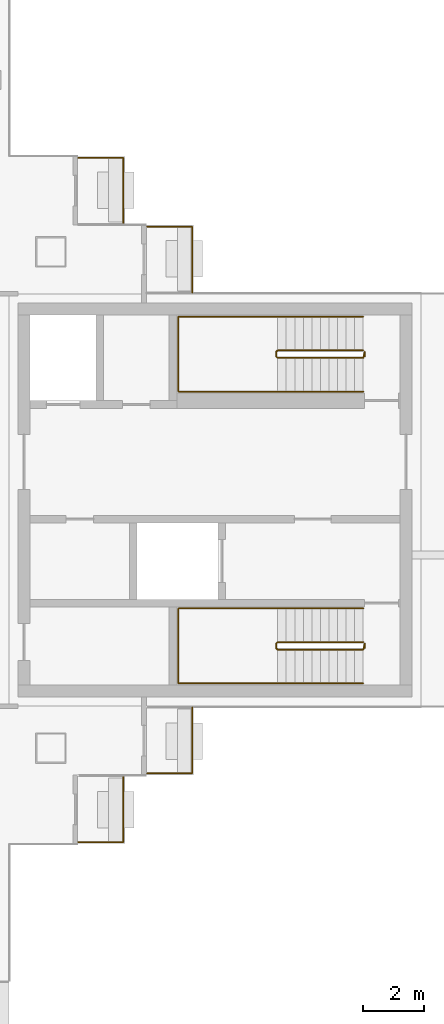
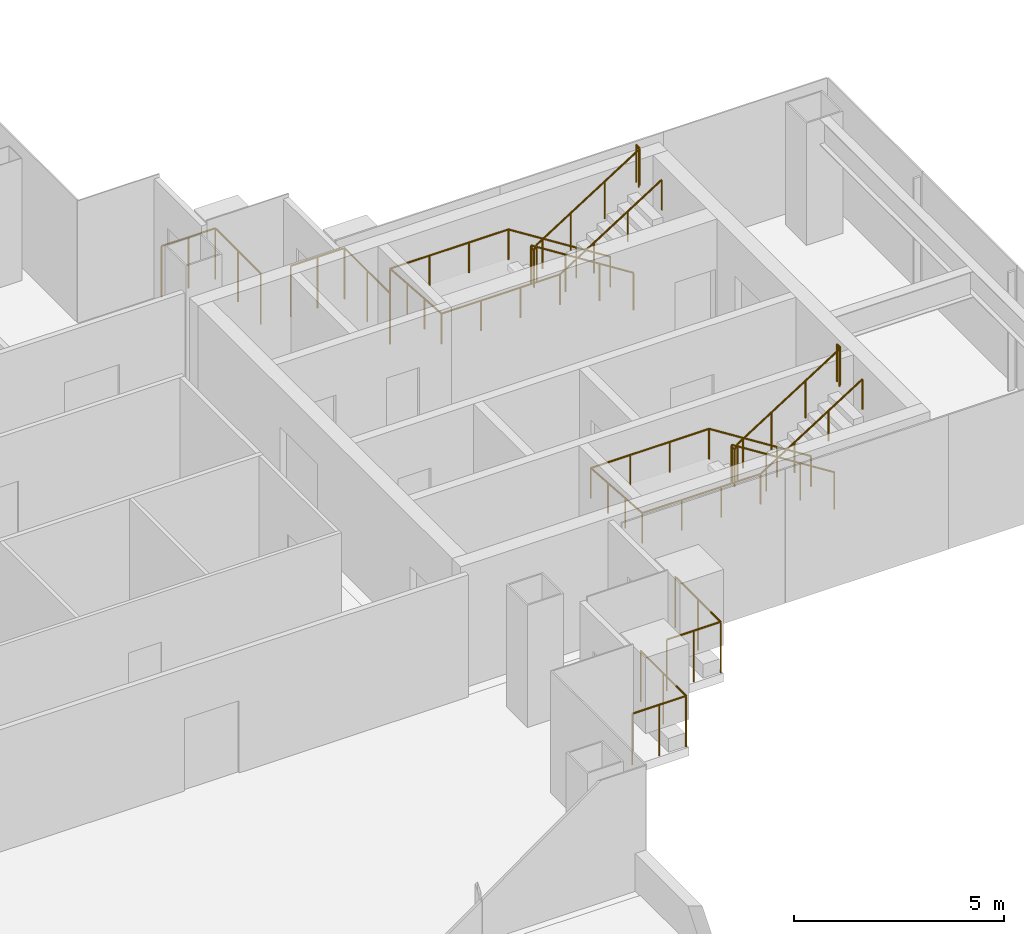
# One storey, part 15 of 16: 8 railings.
"""IFC4 building model written with IfcOpenShell, lengths in metres."""

import ifcopenshell
import ifcopenshell.guid

model = None  # the IFC model being written
_history = None  # IfcOwnerHistory: only IFC2X3 demands one
_inside = {}  # id of a spatial element -> (the spatial element, [elements in it])
_under = {}  # id of a project, library or spatial element -> (it, [spatial elements below it])
_declared = {}  # id of a project -> (the project, [libraries it declares])
_typed = {}  # id of a type object -> (the type object, [elements of that type])
_made_of = {}  # id of a material, layer set ... -> (it, [elements and type objects made of it])


def new_model(schema):
    """Start an empty IFC model of exactly this schema.

    Asked for "IFC4X3", IfcOpenShell would pick the latest addendum, in which some entities
    have other attributes; the version numbers below select the first issue.
    IFC2X3 requires an IfcOwnerHistory on every rooted entity: one is made here for all.
    """
    global model, _history
    if schema == "IFC4X3":
        model = ifcopenshell.file(schema_version=(4, 3, 0, 0))
    else:
        model = ifcopenshell.file(schema=schema)
    _inside.clear()
    _under.clear()
    _declared.clear()
    _typed.clear()
    _made_of.clear()
    _history = None
    if model.schema == "IFC2X3":
        org = make("IfcOrganization", Name="unknown")
        user = make(
            "IfcPersonAndOrganization",
            ThePerson=make("IfcPerson", FamilyName="unknown"),
            TheOrganization=org,
        )
        app = make(
            "IfcApplication",
            ApplicationDeveloper=org,
            Version="unknown",
            ApplicationFullName="unknown",
            ApplicationIdentifier="unknown",
        )
        _history = make(
            "IfcOwnerHistory",
            OwningUser=user,
            OwningApplication=app,
            ChangeAction="ADDED",
            CreationDate=0,
        )
    return model


def make(cls, **values):
    """One entity of the class cls with the attributes given. An attribute that is None is left unset."""
    return model.create_entity(
        cls, **{name: value for name, value in values.items() if value is not None}
    )


def rooted(cls, **values):
    """An entity with a GlobalId (a new one), such as an element, a storey or a relation."""
    return make(cls, GlobalId=ifcopenshell.guid.new(), OwnerHistory=_history, **values)


def si_unit(unit_type, name, prefix=None):
    """IfcSIUnit, for example si_unit("LENGTHUNIT", "METRE", prefix="MILLI")."""
    return make("IfcSIUnit", UnitType=unit_type, Prefix=prefix, Name=name)


def assignment(units):
    """IfcUnitAssignment: the units of a project."""
    return None if units is None else make("IfcUnitAssignment", Units=units)


def point(xyz):
    """IfcCartesianPoint."""
    return None if xyz is None else make("IfcCartesianPoint", Coordinates=xyz)


def direction(xyz):
    """IfcDirection."""
    return None if xyz is None else make("IfcDirection", DirectionRatios=xyz)


def frame(location, z_axis=None, x_axis=None):
    """IfcAxis2Placement3D, a coordinate frame: its origin and axes. An axis left out is left unset."""
    return make(
        "IfcAxis2Placement3D",
        Location=point(location),
        Axis=direction(z_axis),
        RefDirection=direction(x_axis),
    )


def frame_2d(location, x_axis=None):
    """IfcAxis2Placement2D, a coordinate frame in the plane: its origin and x axis."""
    return make(
        "IfcAxis2Placement2D", Location=point(location), RefDirection=direction(x_axis)
    )


def origin():
    """The frame at (0, 0, 0) with its axes left unset."""
    return frame((0.0, 0.0, 0.0))


def origin_2d():
    """The frame at (0, 0) in the plane with its x axis left unset."""
    return frame_2d((0.0, 0.0))


def place(relative_to, where):
    """IfcLocalPlacement: puts the frame where relative to a parent placement (None: the world)."""
    return make(
        "IfcLocalPlacement", PlacementRelTo=relative_to, RelativePlacement=where
    )


def context(
    kind, dimensions, precision=None, world=None, true_north=None, identifier=None
):
    """IfcGeometricRepresentationContext, for example the 3D "Model" context."""
    return make(
        "IfcGeometricRepresentationContext",
        ContextIdentifier=identifier,
        ContextType=kind,
        CoordinateSpaceDimension=dimensions,
        Precision=precision,
        WorldCoordinateSystem=world,
        TrueNorth=true_north,
    )


def subcontext(parent, identifier, kind, view, scale=None):
    """IfcGeometricRepresentationSubContext, for example "Body" below "Model"."""
    return make(
        "IfcGeometricRepresentationSubContext",
        ContextIdentifier=identifier,
        ContextType=kind,
        ParentContext=parent,
        TargetScale=scale,
        TargetView=view,
    )


def project(units=None, contexts=None):
    """IfcProject with its units and contexts."""
    return rooted(
        "IfcProject",
        Name="project",
        RepresentationContexts=contexts,
        UnitsInContext=assignment(units),
    )


def spatial(cls, under=None, at=None, **own):
    """A site, building, storey or space (cls), placed at a placement, below another one or the project."""
    s = rooted(cls, ObjectPlacement=at, **own)
    if under is not None:
        _under.setdefault(under.id(), (under, []))[1].append(s)
    return s


def profile(cls, at=None, kind="AREA", **sizes):
    """A parametric profile (cls). Its sizes go by their IFC names, for example OverallWidth=200.0."""
    return make(cls, ProfileType=kind, Position=at, **sizes)


def circle(**sizes):
    """IfcCircleProfileDef."""
    return profile("IfcCircleProfileDef", **sizes)


def extrude(swept, where, along, depth):
    """IfcExtrudedAreaSolid: the profile swept, set in the frame where, extruded along a direction by depth."""
    return make(
        "IfcExtrudedAreaSolid",
        SweptArea=swept,
        Position=where,
        ExtrudedDirection=direction(along),
        Depth=depth,
    )


def shape(context_of_items, identifier, shape_type, items):
    """IfcShapeRepresentation: the items that make up one representation, for example the "Body"."""
    return make(
        "IfcShapeRepresentation",
        ContextOfItems=context_of_items,
        RepresentationIdentifier=identifier,
        RepresentationType=shape_type,
        Items=items,
    )


def material(Name=None, Category=None):
    """IfcMaterial."""
    return make("IfcMaterial", Name=Name, Category=Category)


def made_of(thing, what):
    """Note that an element or type object is made of a material, layer set ...; save() writes the relation."""
    if what is not None:
        _made_of.setdefault(what.id(), (what, []))[1].append(thing)
    return thing


def type_object(cls, material=None, **own):
    """A type object (cls), such as IfcWallType, which elements share."""
    return made_of(rooted(cls, **own), material)


def element(
    cls,
    number,
    at=None,
    inside=None,
    cuts=None,
    type_object=None,
    material=None,
    context=None,
    identifier="Body",
    shape_type=None,
    held_by="IfcProductDefinitionShape",
    body=None,
    shapes=None,
    **own,
):
    """One element of the class cls, such as IfcWall. Its Tag is "e" and its number.

    at: its placement. inside: the storey or other place that contains it. cuts: it is an
    opening in that element (IfcRelVoidsElement). A single representation is given by context,
    identifier, shape_type and body (its items); several are given by shapes. held_by: the class
    of the entity that holds the representations. save() writes the other relations.
    """
    e = rooted(cls, Tag="e%d" % number, ObjectPlacement=at, **own)
    if body is not None:
        shapes = [shape(context, identifier, shape_type, body)]
    if shapes is not None:
        e.Representation = make(held_by, Representations=shapes)
    if inside is not None:
        _inside.setdefault(inside.id(), (inside, []))[1].append(e)
    if cuts is not None:
        rooted(
            "IfcRelVoidsElement", RelatingBuildingElement=cuts, RelatedOpeningElement=e
        )
    if type_object is not None:
        _typed.setdefault(type_object.id(), (type_object, []))[1].append(e)
    return made_of(e, material)


def aggregate(whole, parts):
    """IfcRelAggregates: a whole, such as a stair, and the parts it consists of."""
    return rooted("IfcRelAggregates", RelatingObject=whole, RelatedObjects=parts)


def save(model, path):
    """Write the relations noted so far, then the file.

    IfcRelAggregates (storeys below a building ...), IfcRelContainedInSpatialStructure (elements
    in a storey), IfcRelDefinesByType, IfcRelAssociatesMaterial and IfcRelDeclares: one each for
    every whole, place, type object, material and project.
    """
    for whole, parts in _under.values():
        aggregate(whole, parts)
    for where, things in _inside.values():
        rooted(
            "IfcRelContainedInSpatialStructure",
            RelatedElements=things,
            RelatingStructure=where,
        )
    for kind, things in _typed.values():
        rooted("IfcRelDefinesByType", RelatedObjects=things, RelatingType=kind)
    for what, things in _made_of.values():
        rooted("IfcRelAssociatesMaterial", RelatedObjects=things, RelatingMaterial=what)
    for by, libraries in _declared.values():
        rooted("IfcRelDeclares", RelatingContext=by, RelatedDefinitions=libraries)
    model.write(path)


model = new_model("IFC4")

# Units and contexts
model_context = context("Model", 3, precision=1e-05, world=origin(), true_north=direction((0.0, 1.0)))
body_context = subcontext(model_context, "Body", "Model", "MODEL_VIEW")
ifc_project = project(units=[si_unit("LENGTHUNIT", "METRE"), si_unit("AREAUNIT", "SQUARE_METRE"), si_unit("VOLUMEUNIT", "CUBIC_METRE"), si_unit("PLANEANGLEUNIT", "RADIAN"), si_unit("MASSUNIT", "GRAM", prefix="KILO")], contexts=[model_context])

# Site, building, storey
site_placement = place(None, origin())
site = spatial("IfcSite", under=ifc_project, at=site_placement, CompositionType="ELEMENT")
building_placement = place(site_placement, origin())
building = spatial("IfcBuilding", under=site, at=building_placement, Name="Shamsa Quay Exchange Towers", CompositionType="ELEMENT")
storey_placement = place(building_placement, frame((0.0, 0.0, 182.699951171875)))
storey = spatial("IfcBuildingStorey", under=building, at=storey_placement, Name="L43", CompositionType="ELEMENT", Elevation=182.699951171875)

# Railings
ifc_material_1 = material(Name="Steel S355, black powder-coated", Category="steel")
railing_type_1 = type_object("IfcRailingType", Name="BALCONY GUARD 1500", PredefinedType="GUARDRAIL", material=ifc_material_1)
for number, where, name in (
    (1, (44.25, 9.0380859375, 0.0), "Balcony guard T2-PKES L43"),
    (2, (46.5, 6.7880859375, 0.0), "Balcony guard T2-PKES L43"),
):
    element("IfcRailing", number, at=place(storey_placement, frame(where)), inside=storey, type_object=railing_type_1, Name=name, PredefinedType="GUARDRAIL", context=body_context, shape_type="SweptSolid", body=[
        extrude(circle(Radius=0.02392578125, at=origin_2d()), frame((0.0, 0.0, 1.47607421875), z_axis=(0.0, 1.0, 0.0), x_axis=(-1.0, 0.0, 0.0)), (0.0, 0.0, 1.0), 2.161865234375),
        extrude(circle(Radius=0.02392578125, at=origin_2d()), frame((0.0, 2.161865234375, 1.47607421875), z_axis=(-1.0, 0.0, 0.0), x_axis=(0.0, -1.0, 0.0)), (0.0, 0.0, 1.0), 1.47900390625),
        extrude(circle(Radius=0.02099609375, at=origin_2d()), origin(), (0.0, 0.0, 1.0), 1.451904296875),
        extrude(circle(Radius=0.02099609375, at=origin_2d()), frame((0.0, 1.0810546875, 0.0)), (0.0, 0.0, 1.0), 1.451904296875),
        extrude(circle(Radius=0.02099609375, at=origin_2d()), frame((0.0, 2.161865234375, 0.0)), (0.0, 0.0, 1.0), 1.451904296875),
        extrude(circle(Radius=0.02099609375, at=origin_2d()), frame((-0.739501953125, 2.161865234375, 0.0)), (0.0, 0.0, 1.0), 1.451904296875),
        extrude(circle(Radius=0.02099609375, at=origin_2d()), frame((-1.47900390625, 2.161865234375, 0.0)), (0.0, 0.0, 1.0), 1.451904296875),
    ])
for number, where, name in (
    (3, (42.77099609375, -11.199951171875, 0.0), "Balcony guard T2-PKWS L43"),
    (4, (45.02099609375, -8.949951171875, 0.0), "Balcony guard T2-PKWS L43"),
):
    element("IfcRailing", number, at=place(storey_placement, frame(where)), inside=storey, type_object=railing_type_1, Name=name, PredefinedType="GUARDRAIL", context=body_context, shape_type="SweptSolid", body=[
        extrude(circle(Radius=0.02392578125, at=origin_2d()), frame((0.0, 0.0, 1.47607421875), z_axis=(1.0, 0.0, 0.0), x_axis=(0.0, 1.0, 0.0)), (0.0, 0.0, 1.0), 1.47900390625),
        extrude(circle(Radius=0.02392578125, at=origin_2d()), frame((1.47900390625, 0.0, 1.47607421875), z_axis=(0.0, 1.0, 0.0), x_axis=(-1.0, 0.0, 0.0)), (0.0, 0.0, 1.0), 2.161865234375),
        extrude(circle(Radius=0.02099609375, at=origin_2d()), origin(), (0.0, 0.0, 1.0), 1.451904296875),
        extrude(circle(Radius=0.02099609375, at=origin_2d()), frame((0.739501953125, 0.0, 0.0)), (0.0, 0.0, 1.0), 1.451904296875),
        extrude(circle(Radius=0.02099609375, at=origin_2d()), frame((1.47900390625, 0.0, 0.0)), (0.0, 0.0, 1.0), 1.451904296875),
        extrude(circle(Radius=0.02099609375, at=origin_2d()), frame((1.47900390625, 1.0810546875, 0.0)), (0.0, 0.0, 1.0), 1.451904296875),
        extrude(circle(Radius=0.02099609375, at=origin_2d()), frame((1.47900390625, 2.161865234375, 0.0)), (0.0, 0.0, 1.0), 1.451904296875),
    ])
ifc_material_2 = material(Name="Stainless steel", Category="steel")
railing_type_2 = type_object("IfcRailingType", Name="STAIR GUARD 1100", PredefinedType="GUARDRAIL", material=ifc_material_2)
railing_1_placement = place(storey_placement, frame((52.10009765625, -4.64990234375, 0.17724609375)))
element("IfcRailing", 5, at=railing_1_placement, inside=storey, type_object=railing_type_2, Name="L43 ST5 stair guard 1", PredefinedType="GUARDRAIL", context=body_context, shape_type="SweptSolid", body=[
    extrude(circle(Radius=0.02392578125, at=origin_2d()), frame((0.0, 0.0, 1.076171875), z_axis=(-0.844908973607, 0.0, 0.534910110503), x_axis=(0.0, -1.0, 0.0)), (0.0, 0.0, 1.0), 3.31396484375),
    extrude(circle(Radius=0.02392578125, at=origin_2d()), frame((-2.800048828125, 0.0, 2.8486328125), z_axis=(-0.707106781187, -0.707106781187, 0.0), x_axis=(0.707106781187, -0.707106781187, 0.0)), (0.0, 0.0, 1.0), 0.07080078125),
    extrude(circle(Radius=0.02392578125, at=origin_2d()), frame((-2.85009765625, -0.050048828125, 2.8486328125), z_axis=(0.0, -1.0, 0.0), x_axis=(1.0, 0.0, 0.0)), (0.0, 0.0, 1.0), 0.150146484375),
    extrude(circle(Radius=0.02392578125, at=origin_2d()), frame((-2.85009765625, -0.2001953125, 2.8486328125), z_axis=(0.262009983441, -0.260731885961, 0.929176868105), x_axis=(0.705375805398, 0.708833529934, 0.0)), (0.0, 0.0, 1.0), 0.19091796875),
    extrude(circle(Radius=0.02392578125, at=origin_2d()), frame((-2.800048828125, -0.25, 3.0263671875), z_axis=(0.844908973607, 0.0, 0.534910110503), x_axis=(0.0, 1.0, 0.0)), (0.0, 0.0, 1.0), 3.31396484375),
    extrude(circle(Radius=0.02392578125, at=origin_2d()), frame((0.0, -0.25, 4.798828125), z_axis=(0.241699205484, 0.970351222016, 0.0), x_axis=(-0.970351222016, 0.241699205484, 0.0)), (0.0, 0.0, 1.0), 0.2060546875),
    extrude(circle(Radius=0.02392578125, at=origin_2d()), frame((0.0498046875, -0.050048828125, 4.798828125), z_axis=(0.0, -1.0, 0.0), x_axis=(1.0, 0.0, 0.0)), (0.0, 0.0, 1.0), 0.150146484375),
    extrude(circle(Radius=0.02099609375, at=origin_2d()), origin(), (0.0, 0.0, 1.0), 1.052001953125),
    extrude(circle(Radius=0.02099609375, at=origin_2d()), frame((-0.933349609375, 0.0, 0.5908203125)), (0.0, 0.0, 1.0), 1.052001953125),
    extrude(circle(Radius=0.02099609375, at=origin_2d()), frame((-1.86669921875, 0.0, 1.181884765625)), (0.0, 0.0, 1.0), 1.052001953125),
    extrude(circle(Radius=0.02099609375, at=origin_2d()), frame((-2.800048828125, 0.0, 1.772705078125)), (0.0, 0.0, 1.0), 1.052001953125),
    extrude(circle(Radius=0.02099609375, at=origin_2d()), frame((-2.85009765625, -0.050048828125, 1.772705078125)), (0.0, 0.0, 1.0), 1.052001953125),
    extrude(circle(Radius=0.02099609375, at=origin_2d()), frame((-2.85009765625, -0.2001953125, 1.772705078125)), (0.0, 0.0, 1.0), 1.052001953125),
    extrude(circle(Radius=0.02099609375, at=origin_2d()), frame((-2.800048828125, -0.25, 1.9501953125)), (0.0, 0.0, 1.0), 1.052001953125),
    extrude(circle(Radius=0.02099609375, at=origin_2d()), frame((-1.86669921875, -0.25, 2.541015625)), (0.0, 0.0, 1.0), 1.052001953125),
    extrude(circle(Radius=0.02099609375, at=origin_2d()), frame((-0.933349609375, -0.25, 3.132080078125)), (0.0, 0.0, 1.0), 1.052001953125),
    extrude(circle(Radius=0.02099609375, at=origin_2d()), frame((0.0, -0.25, 3.722900390625)), (0.0, 0.0, 1.0), 1.052001953125),
    extrude(circle(Radius=0.02099609375, at=origin_2d()), frame((0.0498046875, -0.050048828125, 3.722900390625)), (0.0, 0.0, 1.0), 1.052001953125),
    extrude(circle(Radius=0.02099609375, at=origin_2d()), frame((0.0498046875, -0.2001953125, 3.722900390625)), (0.0, 0.0, 1.0), 1.052001953125),
])
railing_2_placement = place(storey_placement, frame((52.10009765625, 4.89990234375, 0.17724609375)))
element("IfcRailing", 6, at=railing_2_placement, inside=storey, type_object=railing_type_2, Name="L43 ST6 stair guard 1", PredefinedType="GUARDRAIL", context=body_context, shape_type="SweptSolid", body=[
    extrude(circle(Radius=0.02392578125, at=origin_2d()), frame((0.0, 0.0, 1.076171875), z_axis=(-0.844908973607, 0.0, 0.534910110503), x_axis=(0.0, -1.0, 0.0)), (0.0, 0.0, 1.0), 3.31396484375),
    extrude(circle(Radius=0.02392578125, at=origin_2d()), frame((-2.800048828125, 0.0, 2.8486328125), z_axis=(-0.708833529934, -0.705375805398, 0.0), x_axis=(0.705375805398, -0.708833529934, 0.0)), (0.0, 0.0, 1.0), 0.070556640625),
    extrude(circle(Radius=0.02392578125, at=origin_2d()), frame((-2.85009765625, -0.0498046875, 2.8486328125), z_axis=(0.0, -1.0, 0.0), x_axis=(1.0, 0.0, 0.0)), (0.0, 0.0, 1.0), 0.150146484375),
    extrude(circle(Radius=0.02392578125, at=origin_2d()), frame((-2.85009765625, -0.199951171875, 2.8486328125), z_axis=(0.261922500866, -0.261922500866, 0.928866625022), x_axis=(0.707106781187, 0.707106781187, 0.0)), (0.0, 0.0, 1.0), 0.191162109375),
    extrude(circle(Radius=0.02392578125, at=origin_2d()), frame((-2.800048828125, -0.25, 3.0263671875), z_axis=(0.844908973607, 0.0, 0.534910110503), x_axis=(0.0, 1.0, 0.0)), (0.0, 0.0, 1.0), 3.31396484375),
    extrude(circle(Radius=0.02392578125, at=origin_2d()), frame((0.0, -0.25, 4.798828125), z_axis=(0.24142163986, 0.970420317083, 0.0), x_axis=(-0.970420317083, 0.24142163986, 0.0)), (0.0, 0.0, 1.0), 0.206298828125),
    extrude(circle(Radius=0.02392578125, at=origin_2d()), frame((0.0498046875, -0.0498046875, 4.798828125), z_axis=(0.0, -1.0, 0.0), x_axis=(1.0, 0.0, 0.0)), (0.0, 0.0, 1.0), 0.150146484375),
    extrude(circle(Radius=0.02099609375, at=origin_2d()), origin(), (0.0, 0.0, 1.0), 1.052001953125),
    extrude(circle(Radius=0.02099609375, at=origin_2d()), frame((-0.933349609375, 0.0, 0.5908203125)), (0.0, 0.0, 1.0), 1.052001953125),
    extrude(circle(Radius=0.02099609375, at=origin_2d()), frame((-1.86669921875, 0.0, 1.181884765625)), (0.0, 0.0, 1.0), 1.052001953125),
    extrude(circle(Radius=0.02099609375, at=origin_2d()), frame((-2.800048828125, 0.0, 1.772705078125)), (0.0, 0.0, 1.0), 1.052001953125),
    extrude(circle(Radius=0.02099609375, at=origin_2d()), frame((-2.85009765625, -0.0498046875, 1.772705078125)), (0.0, 0.0, 1.0), 1.052001953125),
    extrude(circle(Radius=0.02099609375, at=origin_2d()), frame((-2.85009765625, -0.199951171875, 1.772705078125)), (0.0, 0.0, 1.0), 1.052001953125),
    extrude(circle(Radius=0.02099609375, at=origin_2d()), frame((-2.800048828125, -0.25, 1.9501953125)), (0.0, 0.0, 1.0), 1.052001953125),
    extrude(circle(Radius=0.02099609375, at=origin_2d()), frame((-1.86669921875, -0.25, 2.541015625)), (0.0, 0.0, 1.0), 1.052001953125),
    extrude(circle(Radius=0.02099609375, at=origin_2d()), frame((-0.933349609375, -0.25, 3.132080078125)), (0.0, 0.0, 1.0), 1.052001953125),
    extrude(circle(Radius=0.02099609375, at=origin_2d()), frame((0.0, -0.25, 3.722900390625)), (0.0, 0.0, 1.0), 1.052001953125),
    extrude(circle(Radius=0.02099609375, at=origin_2d()), frame((0.0498046875, -0.0498046875, 3.722900390625)), (0.0, 0.0, 1.0), 1.052001953125),
    extrude(circle(Radius=0.02099609375, at=origin_2d()), frame((0.0498046875, -0.199951171875, 3.722900390625)), (0.0, 0.0, 1.0), 1.052001953125),
])
railing_type_3 = type_object("IfcRailingType", Name="STAIR HANDRAIL 900", PredefinedType="HANDRAIL", material=ifc_material_2)
railing_3_placement = place(storey_placement, frame((52.10009765625, -3.550048828125, 0.17724609375)))
element("IfcRailing", 7, at=railing_3_placement, inside=storey, type_object=railing_type_3, Name="L43 ST5 stair handrail 1", PredefinedType="HANDRAIL", context=body_context, shape_type="SweptSolid", body=[
    extrude(circle(Radius=0.02392578125, at=origin_2d()), frame((0.0, 0.0, 0.8759765625), z_axis=(-0.844908973607, 0.0, 0.534910110503), x_axis=(0.0, -1.0, 0.0)), (0.0, 0.0, 1.0), 3.31396484375),
    extrude(circle(Radius=0.02392578125, at=origin_2d()), frame((-2.800048828125, 0.0, 2.6484375), z_axis=(-1.0, 0.0, 0.0), x_axis=(0.0, -1.0, 0.0)), (0.0, 0.0, 1.0), 3.25),
    extrude(circle(Radius=0.02392578125, at=origin_2d()), frame((-6.050048828125, 0.0, 2.6484375), z_axis=(0.0, -0.997386041853, 0.072257065513), x_axis=(1.0, 0.0, 0.0)), (0.0, 0.0, 1.0), 2.456298828125),
    extrude(circle(Radius=0.02392578125, at=origin_2d()), frame((-6.050048828125, -2.449951171875, 2.826171875), z_axis=(1.0, 0.0, 0.0), x_axis=(0.0, 1.0, 0.0)), (0.0, 0.0, 1.0), 3.25),
    extrude(circle(Radius=0.02392578125, at=origin_2d()), frame((-2.800048828125, -2.449951171875, 2.826171875), z_axis=(0.844908973607, 0.0, 0.534910110503), x_axis=(0.0, 1.0, 0.0)), (0.0, 0.0, 1.0), 3.31396484375),
    extrude(circle(Radius=0.02099609375, at=origin_2d()), origin(), (0.0, 0.0, 1.0), 0.851806640625),
    extrude(circle(Radius=0.02099609375, at=origin_2d()), frame((-0.933349609375, 0.0, 0.5908203125)), (0.0, 0.0, 1.0), 0.851806640625),
    extrude(circle(Radius=0.02099609375, at=origin_2d()), frame((-1.86669921875, 0.0, 1.181884765625)), (0.0, 0.0, 1.0), 0.851806640625),
    extrude(circle(Radius=0.02099609375, at=origin_2d()), frame((-2.800048828125, 0.0, 1.772705078125)), (0.0, 0.0, 1.0), 0.851806640625),
    extrude(circle(Radius=0.02099609375, at=origin_2d()), frame((-3.88330078125, 0.0, 1.772705078125)), (0.0, 0.0, 1.0), 0.851806640625),
    extrude(circle(Radius=0.02099609375, at=origin_2d()), frame((-4.966796875, 0.0, 1.772705078125)), (0.0, 0.0, 1.0), 0.851806640625),
    extrude(circle(Radius=0.02099609375, at=origin_2d()), frame((-6.050048828125, 0.0, 1.772705078125)), (0.0, 0.0, 1.0), 0.851806640625),
    extrude(circle(Radius=0.02099609375, at=origin_2d()), frame((-6.050048828125, -0.816650390625, 1.831787109375)), (0.0, 0.0, 1.0), 0.851806640625),
    extrude(circle(Radius=0.02099609375, at=origin_2d()), frame((-6.050048828125, -1.63330078125, 1.89111328125)), (0.0, 0.0, 1.0), 0.851806640625),
    extrude(circle(Radius=0.02099609375, at=origin_2d()), frame((-6.050048828125, -2.449951171875, 1.9501953125)), (0.0, 0.0, 1.0), 0.851806640625),
    extrude(circle(Radius=0.02099609375, at=origin_2d()), frame((-4.966796875, -2.449951171875, 1.9501953125)), (0.0, 0.0, 1.0), 0.851806640625),
    extrude(circle(Radius=0.02099609375, at=origin_2d()), frame((-3.88330078125, -2.449951171875, 1.9501953125)), (0.0, 0.0, 1.0), 0.851806640625),
    extrude(circle(Radius=0.02099609375, at=origin_2d()), frame((-2.800048828125, -2.449951171875, 1.9501953125)), (0.0, 0.0, 1.0), 0.851806640625),
    extrude(circle(Radius=0.02099609375, at=origin_2d()), frame((-1.86669921875, -2.449951171875, 2.541015625)), (0.0, 0.0, 1.0), 0.851806640625),
    extrude(circle(Radius=0.02099609375, at=origin_2d()), frame((-0.933349609375, -2.449951171875, 3.132080078125)), (0.0, 0.0, 1.0), 0.851806640625),
    extrude(circle(Radius=0.02099609375, at=origin_2d()), frame((0.0, -2.449951171875, 3.722900390625)), (0.0, 0.0, 1.0), 0.851806640625),
])
railing_4_placement = place(storey_placement, frame((52.10009765625, 6.0, 0.17724609375)))
element("IfcRailing", 8, at=railing_4_placement, inside=storey, type_object=railing_type_3, Name="L43 ST6 stair handrail 1", PredefinedType="HANDRAIL", context=body_context, shape_type="SweptSolid", body=[
    extrude(circle(Radius=0.02392578125, at=origin_2d()), frame((0.0, 0.0, 0.8759765625), z_axis=(-0.844908973607, 0.0, 0.534910110503), x_axis=(0.0, -1.0, 0.0)), (0.0, 0.0, 1.0), 3.31396484375),
    extrude(circle(Radius=0.02392578125, at=origin_2d()), frame((-2.800048828125, 0.0, 2.6484375), z_axis=(-1.0, 0.0, 0.0), x_axis=(0.0, -1.0, 0.0)), (0.0, 0.0, 1.0), 3.25),
    extrude(circle(Radius=0.02392578125, at=origin_2d()), frame((-6.050048828125, 0.0, 2.6484375), z_axis=(0.0, -0.997386041853, 0.072257065513), x_axis=(1.0, 0.0, 0.0)), (0.0, 0.0, 1.0), 2.456298828125),
    extrude(circle(Radius=0.02392578125, at=origin_2d()), frame((-6.050048828125, -2.449951171875, 2.826171875), z_axis=(1.0, 0.0, 0.0), x_axis=(0.0, 1.0, 0.0)), (0.0, 0.0, 1.0), 3.25),
    extrude(circle(Radius=0.02392578125, at=origin_2d()), frame((-2.800048828125, -2.449951171875, 2.826171875), z_axis=(0.844908973607, 0.0, 0.534910110503), x_axis=(0.0, 1.0, 0.0)), (0.0, 0.0, 1.0), 3.31396484375),
    extrude(circle(Radius=0.02099609375, at=origin_2d()), origin(), (0.0, 0.0, 1.0), 0.851806640625),
    extrude(circle(Radius=0.02099609375, at=origin_2d()), frame((-0.933349609375, 0.0, 0.5908203125)), (0.0, 0.0, 1.0), 0.851806640625),
    extrude(circle(Radius=0.02099609375, at=origin_2d()), frame((-1.86669921875, 0.0, 1.181884765625)), (0.0, 0.0, 1.0), 0.851806640625),
    extrude(circle(Radius=0.02099609375, at=origin_2d()), frame((-2.800048828125, 0.0, 1.772705078125)), (0.0, 0.0, 1.0), 0.851806640625),
    extrude(circle(Radius=0.02099609375, at=origin_2d()), frame((-3.88330078125, 0.0, 1.772705078125)), (0.0, 0.0, 1.0), 0.851806640625),
    extrude(circle(Radius=0.02099609375, at=origin_2d()), frame((-4.966796875, 0.0, 1.772705078125)), (0.0, 0.0, 1.0), 0.851806640625),
    extrude(circle(Radius=0.02099609375, at=origin_2d()), frame((-6.050048828125, 0.0, 1.772705078125)), (0.0, 0.0, 1.0), 0.851806640625),
    extrude(circle(Radius=0.02099609375, at=origin_2d()), frame((-6.050048828125, -0.816650390625, 1.831787109375)), (0.0, 0.0, 1.0), 0.851806640625),
    extrude(circle(Radius=0.02099609375, at=origin_2d()), frame((-6.050048828125, -1.63330078125, 1.89111328125)), (0.0, 0.0, 1.0), 0.851806640625),
    extrude(circle(Radius=0.02099609375, at=origin_2d()), frame((-6.050048828125, -2.449951171875, 1.9501953125)), (0.0, 0.0, 1.0), 0.851806640625),
    extrude(circle(Radius=0.02099609375, at=origin_2d()), frame((-4.966796875, -2.449951171875, 1.9501953125)), (0.0, 0.0, 1.0), 0.851806640625),
    extrude(circle(Radius=0.02099609375, at=origin_2d()), frame((-3.88330078125, -2.449951171875, 1.9501953125)), (0.0, 0.0, 1.0), 0.851806640625),
    extrude(circle(Radius=0.02099609375, at=origin_2d()), frame((-2.800048828125, -2.449951171875, 1.9501953125)), (0.0, 0.0, 1.0), 0.851806640625),
    extrude(circle(Radius=0.02099609375, at=origin_2d()), frame((-1.86669921875, -2.449951171875, 2.541015625)), (0.0, 0.0, 1.0), 0.851806640625),
    extrude(circle(Radius=0.02099609375, at=origin_2d()), frame((-0.933349609375, -2.449951171875, 3.132080078125)), (0.0, 0.0, 1.0), 0.851806640625),
    extrude(circle(Radius=0.02099609375, at=origin_2d()), frame((0.0, -2.449951171875, 3.722900390625)), (0.0, 0.0, 1.0), 0.851806640625),
])

save(model, "model.ifc")
